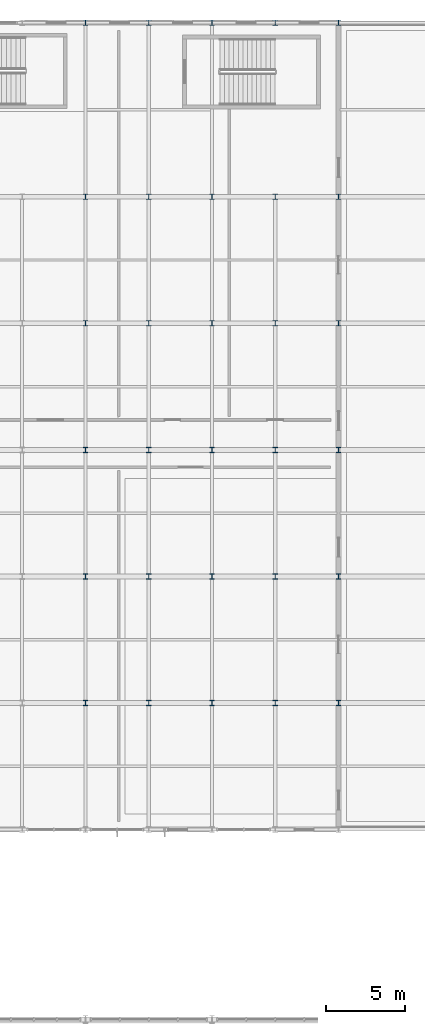
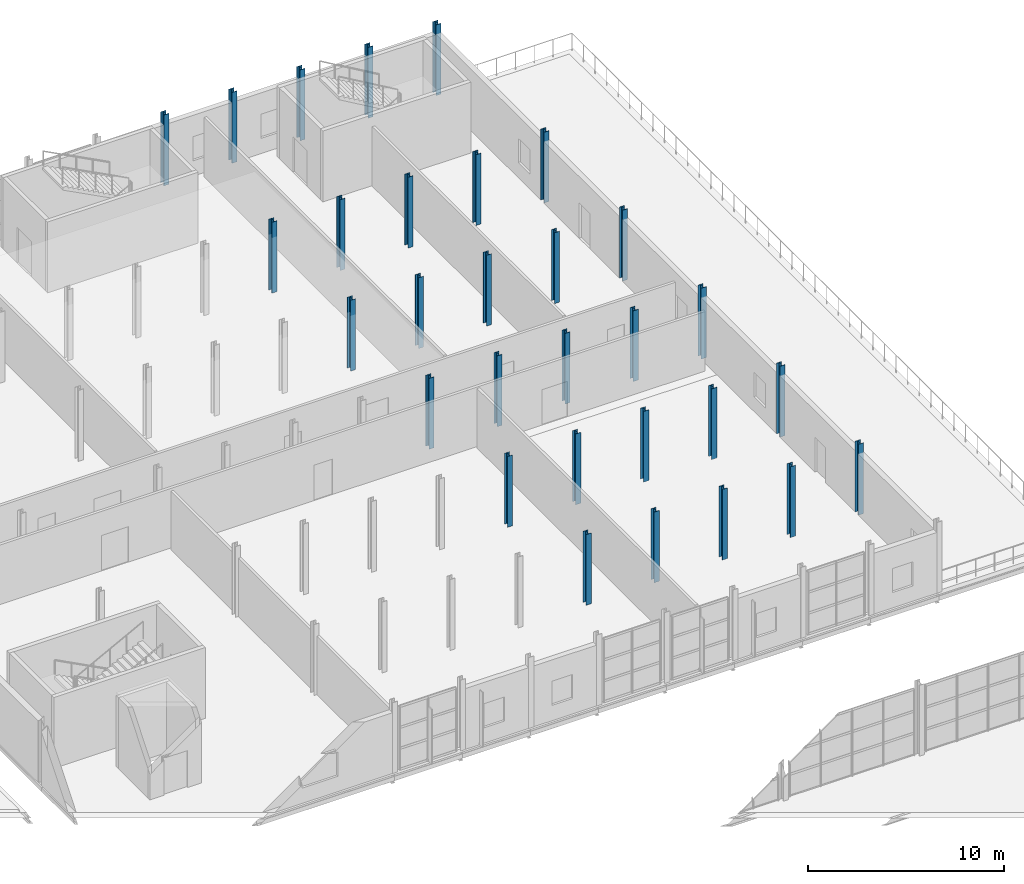
# One storey, part 15 of 153: 30 columns.
"""IFC4 building model written with IfcOpenShell, lengths in metres."""

import ifcopenshell
import ifcopenshell.guid

model = None  # the IFC model being written
_history = None  # IfcOwnerHistory: only IFC2X3 demands one
_inside = {}  # id of a spatial element -> (the spatial element, [elements in it])
_under = {}  # id of a project, library or spatial element -> (it, [spatial elements below it])
_declared = {}  # id of a project -> (the project, [libraries it declares])
_typed = {}  # id of a type object -> (the type object, [elements of that type])
_made_of = {}  # id of a material, layer set ... -> (it, [elements and type objects made of it])


def new_model(schema):
    """Start an empty IFC model of exactly this schema.

    Asked for "IFC4X3", IfcOpenShell would pick the latest addendum, in which some entities
    have other attributes; the version numbers below select the first issue.
    IFC2X3 requires an IfcOwnerHistory on every rooted entity: one is made here for all.
    """
    global model, _history
    if schema == "IFC4X3":
        model = ifcopenshell.file(schema_version=(4, 3, 0, 0))
    else:
        model = ifcopenshell.file(schema=schema)
    _inside.clear()
    _under.clear()
    _declared.clear()
    _typed.clear()
    _made_of.clear()
    _history = None
    if model.schema == "IFC2X3":
        org = make("IfcOrganization", Name="unknown")
        user = make(
            "IfcPersonAndOrganization",
            ThePerson=make("IfcPerson", FamilyName="unknown"),
            TheOrganization=org,
        )
        app = make(
            "IfcApplication",
            ApplicationDeveloper=org,
            Version="unknown",
            ApplicationFullName="unknown",
            ApplicationIdentifier="unknown",
        )
        _history = make(
            "IfcOwnerHistory",
            OwningUser=user,
            OwningApplication=app,
            ChangeAction="ADDED",
            CreationDate=0,
        )
    return model


def make(cls, **values):
    """One entity of the class cls with the attributes given. An attribute that is None is left unset."""
    return model.create_entity(
        cls, **{name: value for name, value in values.items() if value is not None}
    )


def rooted(cls, **values):
    """An entity with a GlobalId (a new one), such as an element, a storey or a relation."""
    return make(cls, GlobalId=ifcopenshell.guid.new(), OwnerHistory=_history, **values)


def si_unit(unit_type, name, prefix=None):
    """IfcSIUnit, for example si_unit("LENGTHUNIT", "METRE", prefix="MILLI")."""
    return make("IfcSIUnit", UnitType=unit_type, Prefix=prefix, Name=name)


def derived_unit(unit_type, elements):
    """IfcDerivedUnit: a product of units, each with its exponent."""
    return make(
        "IfcDerivedUnit",
        Elements=[
            make("IfcDerivedUnitElement", Unit=unit, Exponent=power)
            for unit, power in elements
        ],
        UnitType=unit_type,
    )


def assignment(units):
    """IfcUnitAssignment: the units of a project."""
    return None if units is None else make("IfcUnitAssignment", Units=units)


def point(xyz):
    """IfcCartesianPoint."""
    return None if xyz is None else make("IfcCartesianPoint", Coordinates=xyz)


def direction(xyz):
    """IfcDirection."""
    return None if xyz is None else make("IfcDirection", DirectionRatios=xyz)


def frame(location, z_axis=None, x_axis=None):
    """IfcAxis2Placement3D, a coordinate frame: its origin and axes. An axis left out is left unset."""
    return make(
        "IfcAxis2Placement3D",
        Location=point(location),
        Axis=direction(z_axis),
        RefDirection=direction(x_axis),
    )


def frame_2d(location, x_axis=None):
    """IfcAxis2Placement2D, a coordinate frame in the plane: its origin and x axis."""
    return make(
        "IfcAxis2Placement2D", Location=point(location), RefDirection=direction(x_axis)
    )


def origin():
    """The frame at (0, 0, 0) with its axes left unset."""
    return frame((0.0, 0.0, 0.0))


def origin_2d():
    """The frame at (0, 0) in the plane with its x axis left unset."""
    return frame_2d((0.0, 0.0))


def place(relative_to, where):
    """IfcLocalPlacement: puts the frame where relative to a parent placement (None: the world)."""
    return make(
        "IfcLocalPlacement", PlacementRelTo=relative_to, RelativePlacement=where
    )


def context(
    kind, dimensions, precision=None, world=None, true_north=None, identifier=None
):
    """IfcGeometricRepresentationContext, for example the 3D "Model" context."""
    return make(
        "IfcGeometricRepresentationContext",
        ContextIdentifier=identifier,
        ContextType=kind,
        CoordinateSpaceDimension=dimensions,
        Precision=precision,
        WorldCoordinateSystem=world,
        TrueNorth=true_north,
    )


def subcontext(parent, identifier, kind, view, scale=None):
    """IfcGeometricRepresentationSubContext, for example "Body" below "Model"."""
    return make(
        "IfcGeometricRepresentationSubContext",
        ContextIdentifier=identifier,
        ContextType=kind,
        ParentContext=parent,
        TargetScale=scale,
        TargetView=view,
    )


def project(units=None, contexts=None):
    """IfcProject with its units and contexts."""
    return rooted(
        "IfcProject",
        Name="project",
        RepresentationContexts=contexts,
        UnitsInContext=assignment(units),
    )


def spatial(cls, under=None, at=None, **own):
    """A site, building, storey or space (cls), placed at a placement, below another one or the project."""
    s = rooted(cls, ObjectPlacement=at, **own)
    if under is not None:
        _under.setdefault(under.id(), (under, []))[1].append(s)
    return s


def profile(cls, at=None, kind="AREA", **sizes):
    """A parametric profile (cls). Its sizes go by their IFC names, for example OverallWidth=200.0."""
    return make(cls, ProfileType=kind, Position=at, **sizes)


def i_section(**sizes):
    """IfcIShapeProfileDef."""
    return profile("IfcIShapeProfileDef", **sizes)


def extrude(swept, where, along, depth):
    """IfcExtrudedAreaSolid: the profile swept, set in the frame where, extruded along a direction by depth."""
    return make(
        "IfcExtrudedAreaSolid",
        SweptArea=swept,
        Position=where,
        ExtrudedDirection=direction(along),
        Depth=depth,
    )


def shape(context_of_items, identifier, shape_type, items):
    """IfcShapeRepresentation: the items that make up one representation, for example the "Body"."""
    return make(
        "IfcShapeRepresentation",
        ContextOfItems=context_of_items,
        RepresentationIdentifier=identifier,
        RepresentationType=shape_type,
        Items=items,
    )


def material(Name=None, Category=None):
    """IfcMaterial."""
    return make("IfcMaterial", Name=Name, Category=Category)


def material_profile(
    of_material, cross_section, Name=None, Category=None, Priority=None
):
    """IfcMaterialProfile: a cross section and its material."""
    return make(
        "IfcMaterialProfile",
        Name=Name,
        Material=of_material,
        Profile=cross_section,
        Priority=Priority,
        Category=Category,
    )


def profile_set(profiles, Name=None, composite=None):
    """IfcMaterialProfileSet."""
    return make(
        "IfcMaterialProfileSet",
        Name=Name,
        MaterialProfiles=profiles,
        CompositeProfile=composite,
    )


def made_of(thing, what):
    """Note that an element or type object is made of a material, layer set ...; save() writes the relation."""
    if what is not None:
        _made_of.setdefault(what.id(), (what, []))[1].append(thing)
    return thing


def type_object(cls, material=None, **own):
    """A type object (cls), such as IfcWallType, which elements share."""
    return made_of(rooted(cls, **own), material)


def element(
    cls,
    number,
    at=None,
    inside=None,
    cuts=None,
    type_object=None,
    material=None,
    context=None,
    identifier="Body",
    shape_type=None,
    held_by="IfcProductDefinitionShape",
    body=None,
    shapes=None,
    **own,
):
    """One element of the class cls, such as IfcWall. Its Tag is "e" and its number.

    at: its placement. inside: the storey or other place that contains it. cuts: it is an
    opening in that element (IfcRelVoidsElement). A single representation is given by context,
    identifier, shape_type and body (its items); several are given by shapes. held_by: the class
    of the entity that holds the representations. save() writes the other relations.
    """
    e = rooted(cls, Tag="e%d" % number, ObjectPlacement=at, **own)
    if body is not None:
        shapes = [shape(context, identifier, shape_type, body)]
    if shapes is not None:
        e.Representation = make(held_by, Representations=shapes)
    if inside is not None:
        _inside.setdefault(inside.id(), (inside, []))[1].append(e)
    if cuts is not None:
        rooted(
            "IfcRelVoidsElement", RelatingBuildingElement=cuts, RelatedOpeningElement=e
        )
    if type_object is not None:
        _typed.setdefault(type_object.id(), (type_object, []))[1].append(e)
    return made_of(e, material)


def aggregate(whole, parts):
    """IfcRelAggregates: a whole, such as a stair, and the parts it consists of."""
    return rooted("IfcRelAggregates", RelatingObject=whole, RelatedObjects=parts)


def save(model, path):
    """Write the relations noted so far, then the file.

    IfcRelAggregates (storeys below a building ...), IfcRelContainedInSpatialStructure (elements
    in a storey), IfcRelDefinesByType, IfcRelAssociatesMaterial and IfcRelDeclares: one each for
    every whole, place, type object, material and project.
    """
    for whole, parts in _under.values():
        aggregate(whole, parts)
    for where, things in _inside.values():
        rooted(
            "IfcRelContainedInSpatialStructure",
            RelatedElements=things,
            RelatingStructure=where,
        )
    for kind, things in _typed.values():
        rooted("IfcRelDefinesByType", RelatedObjects=things, RelatingType=kind)
    for what, things in _made_of.values():
        rooted("IfcRelAssociatesMaterial", RelatedObjects=things, RelatingMaterial=what)
    for by, libraries in _declared.values():
        rooted("IfcRelDeclares", RelatingContext=by, RelatedDefinitions=libraries)
    model.write(path)


model = new_model("IFC4")

# Units and contexts
model_context = context("Model", 3, precision=1e-05, world=origin(), true_north=direction((0.0, 1.0)))
body_context = subcontext(model_context, "Body", "Model", "MODEL_VIEW")
ifc_project = project(units=[si_unit("LENGTHUNIT", "METRE"), si_unit("AREAUNIT", "SQUARE_METRE"), si_unit("VOLUMEUNIT", "CUBIC_METRE"), si_unit("PLANEANGLEUNIT", "RADIAN"), si_unit("MASSUNIT", "GRAM", prefix="KILO"), derived_unit("THERMALTRANSMITTANCEUNIT", [(si_unit("POWERUNIT", "WATT"), 1), (si_unit("LENGTHUNIT", "METRE"), -2), (si_unit("THERMODYNAMICTEMPERATUREUNIT", "KELVIN"), -1)])], contexts=[model_context])

# Site, building, storey
site_placement = place(None, origin())
site = spatial("IfcSite", under=ifc_project, at=site_placement, CompositionType="ELEMENT")
building_placement = place(site_placement, origin())
building = spatial("IfcBuilding", under=site, at=building_placement, Name="Keldorne Ridge Multi-Sports Centre", CompositionType="ELEMENT")
storey_placement = place(building_placement, frame((0.0, 0.0, 9.60009765625)))
storey = spatial("IfcBuildingStorey", under=building, at=storey_placement, Name="L02", CompositionType="ELEMENT", Elevation=9.60009765625)

# Columns
ifc_material = material(Name="Steel S355", Category="steel")
ifc_material_profile = material_profile(ifc_material, i_section(OverallWidth=0.300048828125, OverallDepth=0.340087890625, WebThickness=0.011962890625, FlangeThickness=0.021484375, FilletRadius=0.027099609375, at=origin_2d()), Name="HEB 340")
ifc_profile_set = profile_set([ifc_material_profile], Name="Steel S355")
column_type = type_object("IfcColumnType", Name="COL-C-11", PredefinedType="COLUMN", material=ifc_profile_set)
for number, where, z_axis, x_axis, name in (
    (1, (136.0, 74.0, 0.0), (0.0, 0.0, 1.0), (1.0, 0.0, 0.0), "Structural column V5-C-07-02 on L02"),
    (2, (136.0, 82.0, 0.0), (0.0, 0.0, 1.0), (1.0, 0.0, 0.0), "Structural column V5-C-07-03 on L02"),
    (3, (136.0, 90.0, 0.0), (0.0, 0.0, 1.0), (1.0, 0.0, 0.0), "Structural column V5-C-07-04 on L02"),
    (4, (136.0, 98.0, 0.0), (0.0, 0.0, 1.0), (1.0, 0.0, 0.0), "Structural column V5-C-07-05 on L02"),
    (5, (136.0, 106.0, 0.0), (0.0, 0.0, 1.0), (1.0, 0.0, 0.0), "Structural column V5-C-07-06 on L02"),
    (6, (136.0, 117.0, 0.0), (0.0, 0.0, 1.0), (1.0, 0.0, 0.0), "Structural column V5-C-07-07 on L02"),
    (7, (140.0, 74.0, 0.0), (0.0, 0.0, 1.0), (1.0, 0.0, 0.0), "Structural column V5-C-08-02 on L02"),
    (8, (140.0, 82.0, 0.0), (0.0, 0.0, 1.0), (1.0, 0.0, 0.0), "Structural column V5-C-08-03 on L02"),
    (9, (140.0, 90.0, 0.0), (0.0, 0.0, 1.0), (1.0, 0.0, 0.0), "Structural column V5-C-08-04 on L02"),
    (10, (140.0, 98.0, 0.0), (0.0, 0.0, 1.0), (1.0, 0.0, 0.0), "Structural column V5-C-08-05 on L02"),
    (11, (140.0, 106.0, 0.0), (0.0, 0.0, 1.0), (1.0, 0.0, 0.0), "Structural column V5-C-08-06 on L02"),
    (12, (140.0, 117.0, 0.0), (0.0, 0.0, 1.0), (1.0, 0.0, 0.0), "Structural column V5-C-08-07 on L02"),
    (13, (144.0, 74.0, 0.0), (0.0, 0.0, 1.0), (1.0, 0.0, 0.0), "Structural column V5-C-09-02 on L02"),
    (14, (144.0, 82.0, 0.0), (0.0, 0.0, 1.0), (1.0, 0.0, 0.0), "Structural column V5-C-09-03 on L02"),
    (15, (144.0, 90.0, 0.0), (0.0, 0.0, 1.0), (1.0, 0.0, 0.0), "Structural column V5-C-09-04 on L02"),
    (16, (144.0, 98.0, 0.0), (0.0, 0.0, 1.0), (1.0, 0.0, 0.0), "Structural column V5-C-09-05 on L02"),
    (17, (144.0, 106.0, 0.0), (0.0, 0.0, 1.0), (1.0, 0.0, 0.0), "Structural column V5-C-09-06 on L02"),
    (18, (144.0, 117.0, 0.0), (0.0, 0.0, 1.0), (1.0, 0.0, 0.0), "Structural column V5-C-09-07 on L02"),
    (19, (148.0, 74.0, 0.0), (0.0, 0.0, 1.0), (1.0, 0.0, 0.0), "Structural column V5-C-10-02 on L02"),
    (20, (148.0, 82.0, 0.0), (0.0, 0.0, 1.0), (1.0, 0.0, 0.0), "Structural column V5-C-10-03 on L02"),
    (21, (148.0, 90.0, 0.0), (0.0, 0.0, 1.0), (1.0, 0.0, 0.0), "Structural column V5-C-10-04 on L02"),
    (22, (148.0, 98.0, 0.0), (0.0, 0.0, 1.0), (1.0, 0.0, 0.0), "Structural column V5-C-10-05 on L02"),
    (23, (148.0, 106.0, 0.0), (0.0, 0.0, 1.0), (1.0, 0.0, 0.0), "Structural column V5-C-10-06 on L02"),
    (24, (148.0, 117.0, 0.0), (0.0, 0.0, 1.0), (1.0, 0.0, 0.0), "Structural column V5-C-10-07 on L02"),
    (25, (152.0, 74.0, 0.0), (0.0, 0.0, 1.0), (1.0, 0.0, 0.0), "Structural column V5-C-11-02 on L02"),
    (26, (152.0, 82.0, 0.0), (0.0, 0.0, 1.0), (1.0, 0.0, 0.0), "Structural column V5-C-11-03 on L02"),
    (27, (152.0, 90.0, 0.0), (0.0, 0.0, 1.0), (1.0, 0.0, 0.0), "Structural column V5-C-11-04 on L02"),
    (28, (152.0, 98.0, 0.0), (0.0, 0.0, 1.0), (1.0, 0.0, 0.0), "Structural column V5-C-11-05 on L02"),
    (29, (152.0, 106.0, 0.0), (0.0, 0.0, 1.0), (1.0, 0.0, 0.0), "Structural column V5-C-11-06 on L02"),
    (30, (152.0, 117.0, 0.0), (0.0, 0.0, 1.0), (1.0, 0.0, 0.0), "Structural column V5-C-11-07 on L02"),
):
    element("IfcColumn", number, at=place(storey_placement, frame(where, z_axis=z_axis, x_axis=x_axis)), inside=storey, type_object=column_type, Name=name, PredefinedType="COLUMN", context=body_context, shape_type="SweptSolid", body=[
        extrude(i_section(OverallWidth=0.300048828125, OverallDepth=0.340087890625, WebThickness=0.011962890625, FlangeThickness=0.021484375, FilletRadius=0.027099609375, at=origin_2d()), origin(), (0.0, 0.0, 1.0), 4.39990234375),
    ])

save(model, "model.ifc")
